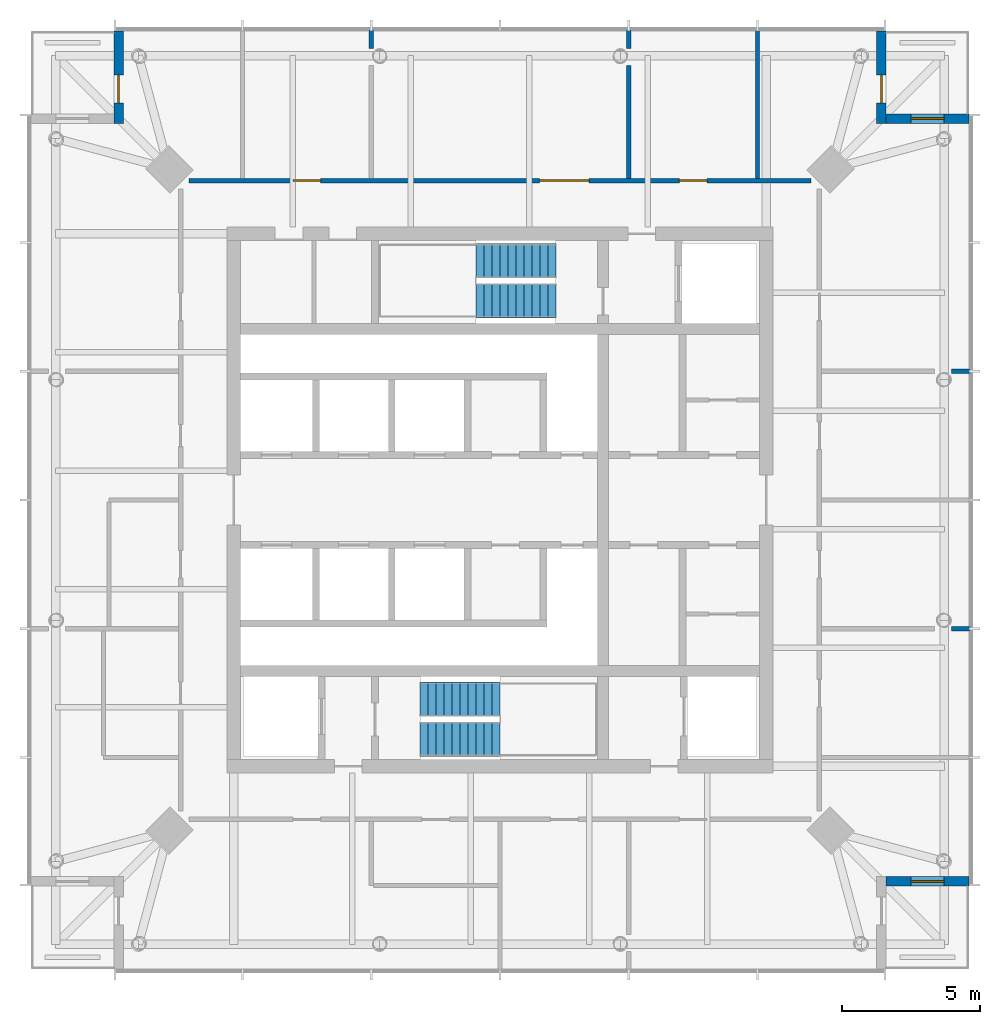
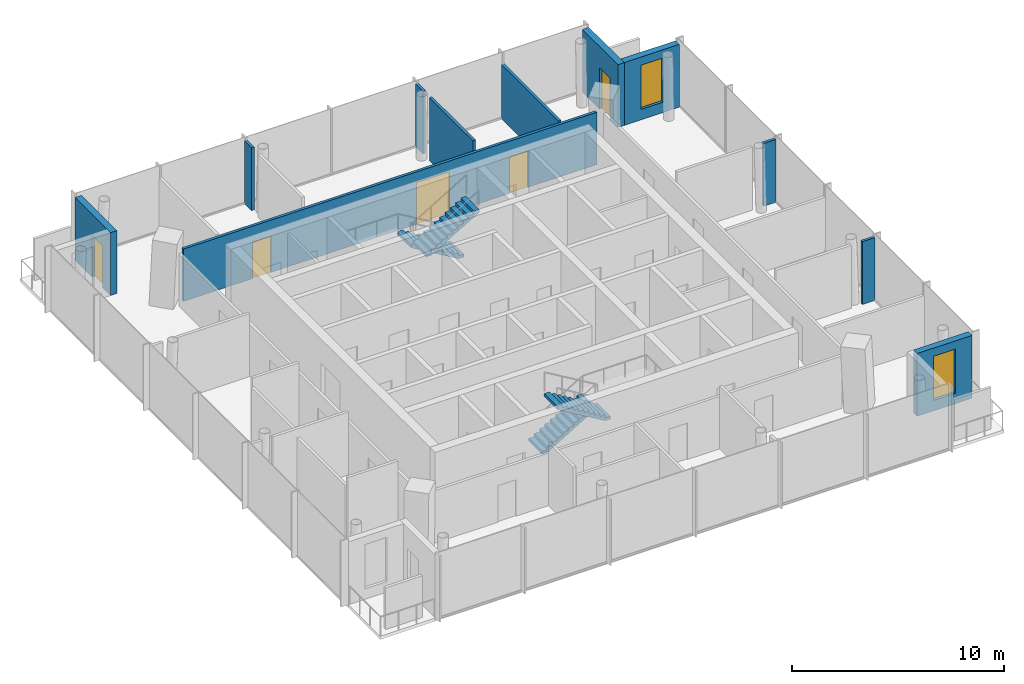
# One storey, part 6 of 7: 11 walls, 5 doors, 4 stair flights, 2 windows, 7 openings, 2 elements without a shape of their own.
"""IFC4 building model written with IfcOpenShell, lengths in metres."""

from ifc_helpers import new_model, si_unit, direction, frame, frame_2d, origin, place, context, subcontext, project, spatial, polyline, rectangle, outline, extrude, material, layer, layer_set, type_object, element, fill, aggregate, save


model = new_model("IFC4")

# Units and contexts
model_context = context("Model", 3, precision=1e-05, world=origin(), true_north=direction((0.0, 1.0)))
body_context = subcontext(model_context, "Body", "Model", "MODEL_VIEW")
ifc_project = project(units=[si_unit("LENGTHUNIT", "METRE"), si_unit("AREAUNIT", "SQUARE_METRE"), si_unit("VOLUMEUNIT", "CUBIC_METRE"), si_unit("PLANEANGLEUNIT", "RADIAN"), si_unit("MASSUNIT", "GRAM", prefix="KILO")], contexts=[model_context])

# Site, building, storey
site_placement = place(None, origin())
site = spatial("IfcSite", under=ifc_project, at=site_placement, CompositionType="ELEMENT")
building_placement = place(site_placement, origin())
building = spatial("IfcBuilding", under=site, at=building_placement, Name="Ostroluk Exchange", CompositionType="ELEMENT")
storey_placement = place(building_placement, frame((0.0, 0.0, 268.0)))
storey = spatial("IfcBuildingStorey", under=building, at=storey_placement, Name="L69", CompositionType="ELEMENT", Elevation=268.0)

# Wall, opening, window
ifc_material_1 = material(Name="Limestone", Category="masonry")
ifc_layer_1 = layer(ifc_material_1, 0.35009765625)
ifc_layer_set_1 = layer_set([ifc_layer_1], Name="Limestone facade wall 350")
wall_type_1 = type_object("IfcWallType", Name="Limestone facade wall 350", PredefinedType="SOLIDWALL", material=ifc_layer_set_1)
wall_1_placement = place(storey_placement, frame((59.0, 32.175048828125, 0.0), z_axis=(0.0, 0.0, 1.0), x_axis=(1.0, 0.0, 0.0)))
wall_1 = element("IfcWall", 1, at=wall_1_placement, inside=storey, type_object=wall_type_1, Name="Office tower SE corner wall L69 b", PredefinedType="SOLIDWALL", context=body_context, shape_type="SweptSolid", body=[
    extrude(rectangle(XDim=3.0, YDim=0.35009765625, at=frame_2d((1.5, 0.0))), origin(), (0.0, 0.0, 1.0), 3.6201171875),
])
opening_1_placement = place(wall_1_placement, frame((0.89990234375, 0.0, 0.60009765625)))
opening_1 = element("IfcOpeningElement", 2, at=opening_1_placement, cuts=wall_1, Name="Opening WN-L1", PredefinedType="OPENING", context=body_context, shape_type="SweptSolid", body=[
    extrude(rectangle(XDim=1.199951171875, YDim=2.550048828125, at=frame_2d((0.60009765625, 1.27490234375))), frame((0.0, 0.18505859375, 0.0), z_axis=(0.0, -1.0, 0.0), x_axis=(1.0, 0.0, 0.0)), (0.0, 0.0, 1.0), 0.3701171875),
])
ifc_material_2 = material(Name="Laminated clear glass", Category="glass")
window_type = type_object("IfcWindowType", Name="Lancet window 1200 x 2550", PartitioningType="SINGLE_PANEL", PredefinedType="WINDOW", material=ifc_material_2)
window_1_placement = place(opening_1_placement, origin())
window_1 = element("IfcWindow", 3, at=window_1_placement, inside=storey, type_object=window_type, Name="Office tower SE lancet window L69", OverallHeight=2.550048828125, OverallWidth=1.199951171875, PartitioningType="SINGLE_PANEL", PredefinedType="WINDOW", context=body_context, shape_type="SweptSolid", body=[
    extrude(rectangle(XDim=1.199951171875, YDim=2.550048828125, at=frame_2d((0.60009765625, 1.27490234375))), frame((0.0, 0.030029296875, 0.0), z_axis=(0.0, -1.0, 0.0), x_axis=(1.0, 0.0, 0.0)), (0.0, 0.0, 1.0), 0.06005859375),
])
fill(opening_1, window_1)

# Wall, opening, door
wall_2_placement = place(storey_placement, frame((58.824951171875, 63.0, 0.0), z_axis=(0.0, 0.0, 1.0), x_axis=(0.0, -1.0, 0.0)))
wall_2 = element("IfcWall", 4, at=wall_2_placement, inside=storey, type_object=wall_type_1, Name="Office tower NE corner wall L69 a", PredefinedType="SOLIDWALL", context=body_context, shape_type="SweptSolid", body=[
    extrude(rectangle(XDim=3.35009765625, YDim=0.35009765625, at=frame_2d((1.675048828125, 0.0))), origin(), (0.0, 0.0, 1.0), 3.6201171875),
])
opening_2_placement = place(wall_2_placement, frame((1.60009765625, 0.0, 0.0)))
opening_2 = element("IfcOpeningElement", 5, at=opening_2_placement, cuts=wall_2, Name="Opening D-B1", PredefinedType="OPENING", context=body_context, shape_type="SweptSolid", body=[
    extrude(rectangle(XDim=1.0, YDim=2.39990234375, at=frame_2d((0.5, 1.199951171875))), frame((0.0, 0.18505859375, 0.0), z_axis=(0.0, -1.0, 0.0), x_axis=(1.0, 0.0, 0.0)), (0.0, 0.0, 1.0), 0.3701171875),
])
ifc_material_3 = material(Name="Bronze framed glazed door", Category="aluminium")
door_type_1 = type_object("IfcDoorType", Name="Balcony door 1000 x 2400", OperationType="SINGLE_SWING_LEFT", PredefinedType="DOOR", material=ifc_material_3)
door_1_placement = place(opening_2_placement, origin())
door_1 = element("IfcDoor", 6, at=door_1_placement, inside=storey, type_object=door_type_1, Name="Office tower NE balcony door L69", OperationType="SINGLE_SWING_RIGHT", OverallHeight=2.39990234375, OverallWidth=1.0, PredefinedType="DOOR", context=body_context, shape_type="SweptSolid", body=[
    extrude(rectangle(XDim=1.0, YDim=2.39990234375, at=frame_2d((0.5, 1.199951171875))), frame((0.0, 0.02490234375, 0.0), z_axis=(0.0, -1.0, 0.0), x_axis=(1.0, 0.0, 0.0)), (0.0, 0.0, 1.0), 0.050048828125),
])
fill(opening_2, door_1)

# Wall, opening, window
wall_3_placement = place(storey_placement, frame((59.0, 59.824951171875, 0.0), z_axis=(0.0, 0.0, 1.0), x_axis=(1.0, 0.0, 0.0)))
wall_3 = element("IfcWall", 7, at=wall_3_placement, inside=storey, type_object=wall_type_1, Name="Office tower NE corner wall L69 b", PredefinedType="SOLIDWALL", context=body_context, shape_type="SweptSolid", body=[
    extrude(rectangle(XDim=3.0, YDim=0.35009765625, at=frame_2d((1.5, 0.0))), origin(), (0.0, 0.0, 1.0), 3.6201171875),
])
opening_3_placement = place(wall_3_placement, frame((0.89990234375, 0.0, 0.60009765625)))
opening_3 = element("IfcOpeningElement", 8, at=opening_3_placement, cuts=wall_3, Name="Opening WN-L1", PredefinedType="OPENING", context=body_context, shape_type="SweptSolid", body=[
    extrude(rectangle(XDim=1.199951171875, YDim=2.550048828125, at=frame_2d((0.60009765625, 1.27490234375))), frame((0.0, 0.18505859375, 0.0), z_axis=(0.0, -1.0, 0.0), x_axis=(1.0, 0.0, 0.0)), (0.0, 0.0, 1.0), 0.3701171875),
])
window_2_placement = place(opening_3_placement, origin())
window_2 = element("IfcWindow", 9, at=window_2_placement, inside=storey, type_object=window_type, Name="Office tower NE lancet window L69", OverallHeight=2.550048828125, OverallWidth=1.199951171875, PartitioningType="SINGLE_PANEL", PredefinedType="WINDOW", context=body_context, shape_type="SweptSolid", body=[
    extrude(rectangle(XDim=1.199951171875, YDim=2.550048828125, at=frame_2d((0.60009765625, 1.27490234375))), frame((0.0, 0.030029296875, 0.0), z_axis=(0.0, -1.0, 0.0), x_axis=(1.0, 0.0, 0.0)), (0.0, 0.0, 1.0), 0.06005859375),
])
fill(opening_3, window_2)

# Wall, opening, door
wall_4_placement = place(storey_placement, frame((31.175048828125, 63.0, 0.0), z_axis=(0.0, 0.0, 1.0), x_axis=(0.0, -1.0, 0.0)))
wall_4 = element("IfcWall", 10, at=wall_4_placement, inside=storey, type_object=wall_type_1, Name="Office tower NW corner wall L69 a", PredefinedType="SOLIDWALL", context=body_context, shape_type="SweptSolid", body=[
    extrude(rectangle(XDim=3.35009765625, YDim=0.35009765625, at=frame_2d((1.675048828125, 0.0))), origin(), (0.0, 0.0, 1.0), 3.6201171875),
])
opening_4_placement = place(wall_4_placement, frame((1.60009765625, 0.0, 0.0)))
opening_4 = element("IfcOpeningElement", 11, at=opening_4_placement, cuts=wall_4, Name="Opening D-B1", PredefinedType="OPENING", context=body_context, shape_type="SweptSolid", body=[
    extrude(rectangle(XDim=1.0, YDim=2.39990234375, at=frame_2d((0.5, 1.199951171875))), frame((0.0, 0.18505859375, 0.0), z_axis=(0.0, -1.0, 0.0), x_axis=(1.0, 0.0, 0.0)), (0.0, 0.0, 1.0), 0.3701171875),
])
door_2_placement = place(opening_4_placement, origin())
door_2 = element("IfcDoor", 12, at=door_2_placement, inside=storey, type_object=door_type_1, Name="Office tower NW balcony door L69", OperationType="SINGLE_SWING_RIGHT", OverallHeight=2.39990234375, OverallWidth=1.0, PredefinedType="DOOR", context=body_context, shape_type="SweptSolid", body=[
    extrude(rectangle(XDim=1.0, YDim=2.39990234375, at=frame_2d((0.5, 1.199951171875))), frame((0.0, 0.02490234375, 0.0), z_axis=(0.0, -1.0, 0.0), x_axis=(1.0, 0.0, 0.0)), (0.0, 0.0, 1.0), 0.050048828125),
])
fill(opening_4, door_2)

# Walls
ifc_material_4 = material(Name="Gypsum plasterboard partition", Category="gypsum")
ifc_layer_2 = layer(ifc_material_4, 0.14990234375)
ifc_layer_set_2 = layer_set([ifc_layer_2], Name="Plasterboard partition 150")
wall_type_2 = type_object("IfcWallType", Name="Plasterboard partition 150", PredefinedType="PARTITIONING", material=ifc_layer_set_2)
for number, where, z_axis, x_axis, name in (
    (13, (61.361083984375, 41.333251953125, 0.0), (0.0, 0.0, 1.0), (1.0, 0.0, 0.0), "Partition"),
    (14, (61.361083984375, 50.666748046875, 0.0), (0.0, 0.0, 1.0), (1.0, 0.0, 0.0), "Partition"),
):
    element("IfcWall", number, at=place(storey_placement, frame(where, z_axis=z_axis, x_axis=x_axis)), inside=storey, type_object=wall_type_2, Name=name, PredefinedType="PARTITIONING", context=body_context, shape_type="SweptSolid", body=[
        extrude(rectangle(XDim=0.678955078125, YDim=0.14990234375, at=frame_2d((0.33935546875, 0.0))), origin(), (0.0, 0.0, 1.0), 3.6201171875),
    ])

# Wall, openings, doors
wall_5_placement = place(storey_placement, frame((56.27294921875, 57.574951171875, 0.0), z_axis=(0.0, 0.0, 1.0), x_axis=(-1.0, 0.0, 0.0)))
wall_5 = element("IfcWall", 15, at=wall_5_placement, inside=storey, type_object=wall_type_2, Name="Partition", PredefinedType="PARTITIONING", context=body_context, shape_type="SweptSolid", body=[
    extrude(rectangle(XDim=22.5458984375, YDim=0.14990234375, at=frame_2d((11.27294921875, 0.0))), origin(), (0.0, 0.0, 1.0), 3.02001953125),
])
opening_5_placement = place(wall_5_placement, frame((3.77294921875, 0.0, 0.0)))
opening_5 = element("IfcOpeningElement", 16, at=opening_5_placement, cuts=wall_5, Name="Opening D-03", PredefinedType="OPENING", context=body_context, shape_type="SweptSolid", body=[
    extrude(rectangle(XDim=1.0, YDim=2.10009765625, at=frame_2d((0.5, 1.050048828125))), frame((0.0, 0.0849609375, 0.0), z_axis=(0.0, -1.0, 0.0), x_axis=(1.0, 0.0, 0.0)), (0.0, 0.0, 1.0), 0.169921875),
])
opening_6_placement = place(wall_5_placement, frame((8.03955078125, 0.0, 0.0)))
opening_6 = element("IfcOpeningElement", 17, at=opening_6_placement, cuts=wall_5, Name="Opening D-04", PredefinedType="OPENING", context=body_context, shape_type="SweptSolid", body=[
    extrude(rectangle(XDim=1.800048828125, YDim=2.39990234375, at=frame_2d((0.89990234375, 1.199951171875))), frame((0.0, 0.0849609375, 0.0), z_axis=(0.0, -1.0, 0.0), x_axis=(1.0, 0.0, 0.0)), (0.0, 0.0, 1.0), 0.169921875),
])
opening_7_placement = place(wall_5_placement, frame((17.77294921875, 0.0, 0.0)))
opening_7 = element("IfcOpeningElement", 18, at=opening_7_placement, cuts=wall_5, Name="Opening D-03", PredefinedType="OPENING", context=body_context, shape_type="SweptSolid", body=[
    extrude(rectangle(XDim=1.0, YDim=2.10009765625, at=frame_2d((0.5, 1.050048828125))), frame((0.0, 0.0849609375, 0.0), z_axis=(0.0, -1.0, 0.0), x_axis=(1.0, 0.0, 0.0)), (0.0, 0.0, 1.0), 0.169921875),
])
ifc_material_5 = material(Name="Timber", Category="wood")
door_type_2 = type_object("IfcDoorType", Name="Double door 1800 x 2400", OperationType="DOUBLE_DOOR_SINGLE_SWING", PredefinedType="DOOR", material=ifc_material_5)
door_3_placement = place(opening_6_placement, origin())
door_3 = element("IfcDoor", 19, at=door_3_placement, inside=storey, type_object=door_type_2, Name="Boardroom door", OperationType="DOUBLE_DOOR_SINGLE_SWING", OverallHeight=2.39990234375, OverallWidth=1.800048828125, PredefinedType="DOOR", context=body_context, shape_type="SweptSolid", body=[
    extrude(rectangle(XDim=1.800048828125, YDim=2.39990234375, at=frame_2d((0.89990234375, 1.199951171875))), frame((0.0, 0.02490234375, 0.0), z_axis=(0.0, -1.0, 0.0), x_axis=(1.0, 0.0, 0.0)), (0.0, 0.0, 1.0), 0.050048828125),
])
fill(opening_6, door_3)
ifc_material_6 = material(Name="Timber", Category="wood")
door_type_3 = type_object("IfcDoorType", Name="Internal door 1000 x 2100", OperationType="SINGLE_SWING_LEFT", PredefinedType="DOOR", material=ifc_material_6)
door_4_placement = place(opening_5_placement, origin())
door_4 = element("IfcDoor", 20, at=door_4_placement, inside=storey, type_object=door_type_3, Name="Office door", OperationType="SINGLE_SWING_LEFT", OverallHeight=2.10009765625, OverallWidth=1.0, PredefinedType="DOOR", context=body_context, shape_type="SweptSolid", body=[
    extrude(rectangle(XDim=1.0, YDim=2.10009765625, at=frame_2d((0.5, 1.050048828125))), frame((0.0, 0.02490234375, 0.0), z_axis=(0.0, -1.0, 0.0), x_axis=(1.0, 0.0, 0.0)), (0.0, 0.0, 1.0), 0.050048828125),
])
fill(opening_5, door_4)
door_5_placement = place(opening_7_placement, origin())
door_5 = element("IfcDoor", 21, at=door_5_placement, inside=storey, type_object=door_type_3, Name="Meeting room door", OperationType="SINGLE_SWING_RIGHT", OverallHeight=2.10009765625, OverallWidth=1.0, PredefinedType="DOOR", context=body_context, shape_type="SweptSolid", body=[
    extrude(rectangle(XDim=1.0, YDim=2.10009765625, at=frame_2d((0.5, 1.050048828125))), frame((0.0, 0.02490234375, 0.0), z_axis=(0.0, -1.0, 0.0), x_axis=(1.0, 0.0, 0.0)), (0.0, 0.0, 1.0), 0.050048828125),
])
fill(opening_7, door_5)

# Walls
wall_6_placement = place(storey_placement, frame((54.333251953125, 57.64990234375, 0.0), z_axis=(0.0, 0.0, 1.0), x_axis=(0.0, 1.0, 0.0)))
element("IfcWall", 22, at=wall_6_placement, inside=storey, type_object=wall_type_2, Name="Partition", PredefinedType="PARTITIONING", context=body_context, shape_type="SweptSolid", body=[
    extrude(rectangle(XDim=5.39013671875, YDim=0.14990234375, at=frame_2d((2.695068359375, 0.0))), origin(), (0.0, 0.0, 1.0), 3.1201171875),
])
wall_7_placement = place(storey_placement, frame((49.666748046875, 57.64990234375, 0.0), z_axis=(0.0, 0.0, 1.0), x_axis=(0.0, 1.0, 0.0)))
element("IfcWall", 23, at=wall_7_placement, inside=storey, type_object=wall_type_2, Name="Partition", PredefinedType="PARTITIONING", context=body_context, shape_type="SweptSolid", body=[
    extrude(rectangle(XDim=4.109130859375, YDim=0.14990234375, at=frame_2d((2.0546875, 0.0))), origin(), (0.0, 0.0, 1.0), 3.6201171875),
])
for number, where, z_axis, x_axis, name in (
    (24, (49.666748046875, 62.361083984375, 0.0), (0.0, 0.0, 1.0), (0.0, 1.0, 0.0), "Partition"),
    (25, (40.333251953125, 62.361083984375, 0.0), (0.0, 0.0, 1.0), (0.0, 1.0, 0.0), "Partition"),
):
    element("IfcWall", number, at=place(storey_placement, frame(where, z_axis=z_axis, x_axis=x_axis)), inside=storey, type_object=wall_type_2, Name=name, PredefinedType="PARTITIONING", context=body_context, shape_type="SweptSolid", body=[
        extrude(rectangle(XDim=0.678955078125, YDim=0.14990234375, at=frame_2d((0.33935546875, 0.0))), origin(), (0.0, 0.0, 1.0), 3.6201171875),
    ])

# Stair, stair flights
ifc_material_7 = material(Name="Concrete C30/37", Category="concrete")
stair_type = type_object("IfcStairType", Name="Exit stair half turn 3800", PredefinedType="HALF_TURN_STAIR", material=ifc_material_7)
stair_1_placement = place(storey_placement, origin())
stair_1 = element("IfcStair", 26, at=stair_1_placement, inside=storey, type_object=stair_type, Name="Stair T1-S1 L69", PredefinedType="HALF_TURN_STAIR")
ifc_material_8 = material(Name="Concrete C30/37", Category="concrete")
stair_flight_type = type_object("IfcStairFlightType", Name="Stair flight 11 risers 172.7 x 290", PredefinedType="STRAIGHT", material=ifc_material_8)
stair_flight_1_placement = place(storey_placement, frame((42.10009765625, 38.77490234375, 0.0), z_axis=(0.0, 0.0, 1.0), x_axis=(1.0, 0.0, 0.0)))
stair_flight_1 = element("IfcStairFlight", 27, at=stair_flight_1_placement, type_object=stair_flight_type, Name="T1-S1 flight 1", NumberOfRisers=11, NumberOfTreads=10, PredefinedType="STRAIGHT", RiserHeight=0.172727273, TreadLength=0.29, context=body_context, shape_type="SweptSolid", body=[
    extrude(outline(polyline([(0.0, 0.0), (0.0, 0.172607421875), (0.2900390625, 0.172607421875), (0.2900390625, 0.345458984375), (0.580078125, 0.345458984375), (0.580078125, 0.51806640625), (0.8701171875, 0.51806640625), (0.8701171875, 0.69091796875), (1.159912109375, 0.69091796875), (1.159912109375, 0.863525390625), (1.449951171875, 0.863525390625), (1.449951171875, 1.036376953125), (1.739990234375, 1.036376953125), (1.739990234375, 1.208984375), (2.030029296875, 1.208984375), (2.030029296875, 1.3818359375), (2.320068359375, 1.3818359375), (2.320068359375, 1.554443359375), (2.610107421875, 1.554443359375), (2.610107421875, 1.727294921875), (2.89990234375, 1.727294921875), (2.89990234375, 1.89990234375), (2.89990234375, 1.552734375), (0.29296875, 0.0), (0.0, 0.0)])), frame((0.0, 0.625, 0.0), z_axis=(0.0, -1.0, 0.0), x_axis=(1.0, 0.0, 0.0)), (0.0, 0.0, 1.0), 1.25),
])
stair_flight_2_placement = place(storey_placement, frame((45.0, 37.324951171875, 1.89990234375), z_axis=(0.0, 0.0, 1.0), x_axis=(-1.0, 0.0, 0.0)))
stair_flight_2 = element("IfcStairFlight", 28, at=stair_flight_2_placement, type_object=stair_flight_type, Name="T1-S1 flight 2", NumberOfRisers=11, NumberOfTreads=10, PredefinedType="STRAIGHT", RiserHeight=0.172727273, TreadLength=0.29, context=body_context, shape_type="SweptSolid", body=[
    extrude(outline(polyline([(0.0, 0.0), (0.0, 0.172607421875), (0.2900390625, 0.172607421875), (0.2900390625, 0.345458984375), (0.580078125, 0.345458984375), (0.580078125, 0.51806640625), (0.8701171875, 0.51806640625), (0.8701171875, 0.69091796875), (1.159912109375, 0.69091796875), (1.159912109375, 0.863525390625), (1.449951171875, 0.863525390625), (1.449951171875, 1.036376953125), (1.739990234375, 1.036376953125), (1.739990234375, 1.208984375), (2.030029296875, 1.208984375), (2.030029296875, 1.3818359375), (2.320068359375, 1.3818359375), (2.320068359375, 1.554443359375), (2.610107421875, 1.554443359375), (2.610107421875, 1.727294921875), (2.89990234375, 1.727294921875), (2.89990234375, 1.89990234375), (2.89990234375, 1.552734375), (0.29296875, 0.0), (0.0, 0.0)])), frame((0.0, 0.625, 0.0), z_axis=(0.0, -1.0, 0.0), x_axis=(1.0, 0.0, 0.0)), (0.0, 0.0, 1.0), 1.25),
])
aggregate(stair_1, [stair_flight_1, stair_flight_2])

stair_2_placement = place(storey_placement, origin())
stair_2 = element("IfcStair", 29, at=stair_2_placement, inside=storey, type_object=stair_type, Name="Stair T1-S2 L69", PredefinedType="HALF_TURN_STAIR")
stair_flight_3_placement = place(storey_placement, frame((47.030029296875, 54.675048828125, 0.0), z_axis=(0.0, 0.0, 1.0), x_axis=(-1.0, 0.0, 0.0)))
stair_flight_3 = element("IfcStairFlight", 30, at=stair_flight_3_placement, type_object=stair_flight_type, Name="T1-S2 flight 1", NumberOfRisers=11, NumberOfTreads=10, PredefinedType="STRAIGHT", RiserHeight=0.172727273, TreadLength=0.29, context=body_context, shape_type="SweptSolid", body=[
    extrude(outline(polyline([(0.0, 0.0), (0.0, 0.172607421875), (0.2900390625, 0.172607421875), (0.2900390625, 0.345458984375), (0.580078125, 0.345458984375), (0.580078125, 0.51806640625), (0.8701171875, 0.51806640625), (0.8701171875, 0.69091796875), (1.159912109375, 0.69091796875), (1.159912109375, 0.863525390625), (1.449951171875, 0.863525390625), (1.449951171875, 1.036376953125), (1.739990234375, 1.036376953125), (1.739990234375, 1.208984375), (2.030029296875, 1.208984375), (2.030029296875, 1.3818359375), (2.320068359375, 1.3818359375), (2.320068359375, 1.554443359375), (2.610107421875, 1.554443359375), (2.610107421875, 1.727294921875), (2.89990234375, 1.727294921875), (2.89990234375, 1.89990234375), (2.89990234375, 1.552734375), (0.29296875, 0.0), (0.0, 0.0)])), frame((0.0, 0.625, 0.0), z_axis=(0.0, -1.0, 0.0), x_axis=(1.0, 0.0, 0.0)), (0.0, 0.0, 1.0), 1.25),
])
stair_flight_4_placement = place(storey_placement, frame((44.1298828125, 53.22509765625, 1.89990234375), z_axis=(0.0, 0.0, 1.0), x_axis=(1.0, 0.0, 0.0)))
stair_flight_4 = element("IfcStairFlight", 31, at=stair_flight_4_placement, type_object=stair_flight_type, Name="T1-S2 flight 2", NumberOfRisers=11, NumberOfTreads=10, PredefinedType="STRAIGHT", RiserHeight=0.172727273, TreadLength=0.29, context=body_context, shape_type="SweptSolid", body=[
    extrude(outline(polyline([(0.0, 0.0), (0.0, 0.172607421875), (0.2900390625, 0.172607421875), (0.2900390625, 0.345458984375), (0.580078125, 0.345458984375), (0.580078125, 0.51806640625), (0.8701171875, 0.51806640625), (0.8701171875, 0.69091796875), (1.159912109375, 0.69091796875), (1.159912109375, 0.863525390625), (1.449951171875, 0.863525390625), (1.449951171875, 1.036376953125), (1.739990234375, 1.036376953125), (1.739990234375, 1.208984375), (2.030029296875, 1.208984375), (2.030029296875, 1.3818359375), (2.320068359375, 1.3818359375), (2.320068359375, 1.554443359375), (2.610107421875, 1.554443359375), (2.610107421875, 1.727294921875), (2.89990234375, 1.727294921875), (2.89990234375, 1.89990234375), (2.89990234375, 1.552734375), (0.29296875, 0.0), (0.0, 0.0)])), frame((0.0, 0.625, 0.0), z_axis=(0.0, -1.0, 0.0), x_axis=(1.0, 0.0, 0.0)), (0.0, 0.0, 1.0), 1.25),
])
aggregate(stair_2, [stair_flight_3, stair_flight_4])

save(model, "model.ifc")
